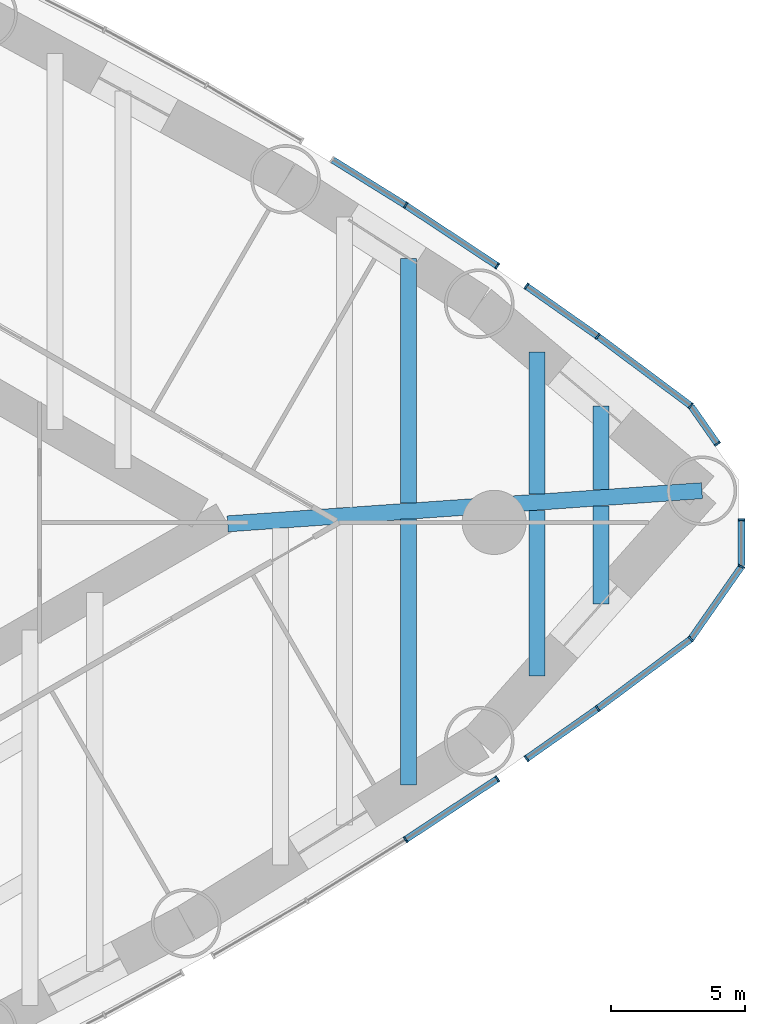
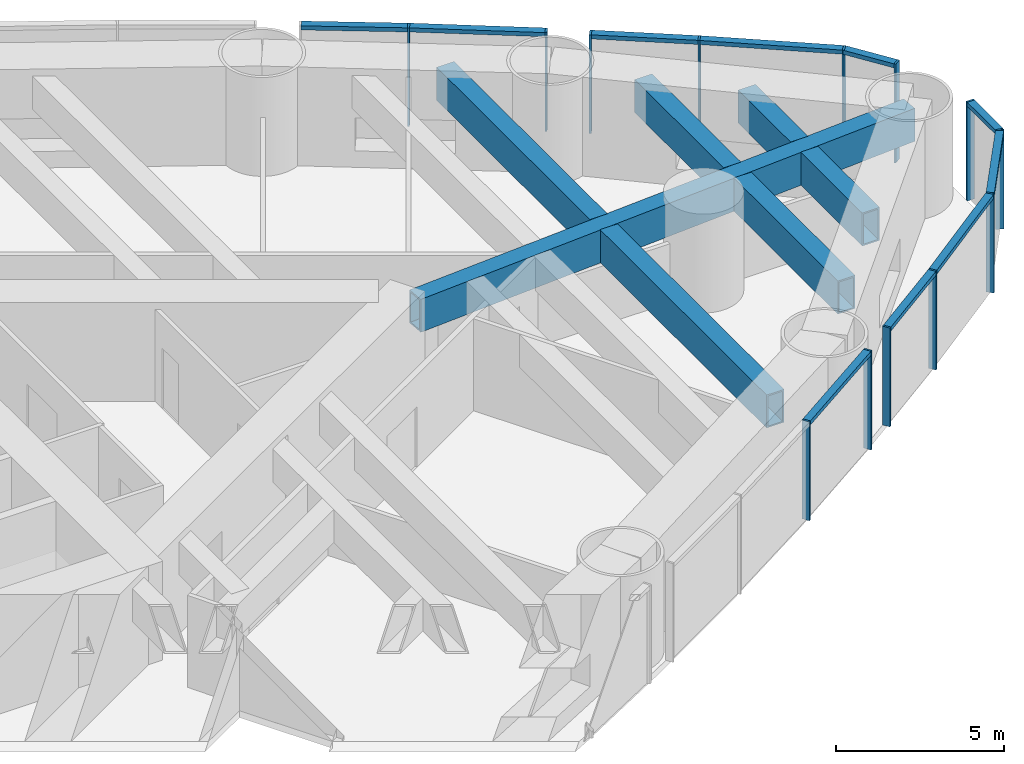
# One storey, part 8 of 16: 23 members, 7 beams, 4 elements without a shape of their own.
"""IFC4 building model written with IfcOpenShell, lengths in metres."""

from ifc_helpers import new_model, si_unit, direction, frame, origin, origin_2d, place, context, subcontext, project, spatial, rectangle, hollow_rectangle, extrude, material, material_profile, profile_set, type_object, element, aggregate, save


model = new_model("IFC4")

# Units and contexts
model_context = context("Model", 3, precision=1e-05, world=origin(), true_north=direction((0.0, 1.0)))
body_context = subcontext(model_context, "Body", "Model", "MODEL_VIEW")
ifc_project = project(units=[si_unit("LENGTHUNIT", "METRE"), si_unit("AREAUNIT", "SQUARE_METRE"), si_unit("VOLUMEUNIT", "CUBIC_METRE"), si_unit("PLANEANGLEUNIT", "RADIAN"), si_unit("MASSUNIT", "GRAM", prefix="KILO")], contexts=[model_context])

# Site, building, storey
site_placement = place(None, origin())
site = spatial("IfcSite", under=ifc_project, at=site_placement, CompositionType="ELEMENT")
building_placement = place(site_placement, origin())
building = spatial("IfcBuilding", under=site, at=building_placement, Name="Lancet Gate Hotel", CompositionType="ELEMENT")
storey_placement = place(building_placement, frame((0.0, 0.0, 143.10009765625)))
storey = spatial("IfcBuildingStorey", under=building, at=storey_placement, Name="L38", CompositionType="ELEMENT", Elevation=143.10009765625)

# Curtain wall, members
ifc_material_1 = material(Name="Aluminium curtain wall", Category="aluminium")
curtain_wall_type = type_object("IfcCurtainWallType", Name="Tower unitised curtain wall", PredefinedType="USERDEFINED", material=ifc_material_1)
curtain_wall_1_placement = place(storey_placement, origin())
curtain_wall_1 = element("IfcCurtainWall", 1, at=curtain_wall_1_placement, inside=storey, type_object=curtain_wall_type, Name="T2 L38 curtain wall 4", ObjectType="UNITISED CURTAIN WALL", PredefinedType="USERDEFINED")
ifc_material_2 = material(Name="Aluminium mullion", Category="aluminium")
ifc_material_profile_1 = material_profile(ifc_material_2, rectangle(XDim=0.06494140625, YDim=0.25, at=origin_2d()), Name="MULLION 65x250")
ifc_profile_set_1 = profile_set([ifc_material_profile_1], Name="Aluminium mullion")
member_type_1 = type_object("IfcMemberType", Name="Aluminium mullion 65x250", PredefinedType="MULLION", material=ifc_profile_set_1)
member_1_placement = place(storey_placement, frame((58.188720703125, -11.8603515625, 0.0), z_axis=(0.0, 0.0, 1.0), x_axis=(0.841950612048, 0.539554600455, 0.0)))
member_1 = element("IfcMember", 2, at=member_1_placement, type_object=member_type_1, Name="T2 L38 curtain wall 4 mullion 3", PredefinedType="MULLION", context=body_context, shape_type="SweptSolid", body=[
    extrude(rectangle(XDim=0.06494140625, YDim=0.25, at=origin_2d()), origin(), (0.0, 0.0, 1.0), 3.599853515625),
])
member_2_placement = place(storey_placement, frame((61.616943359375, -9.592041015625, 0.0), z_axis=(0.0, 0.0, 1.0), x_axis=(0.83398495346, 0.551787184885, 0.0)))
member_2 = element("IfcMember", 3, at=member_2_placement, type_object=member_type_1, Name="T2 L38 curtain wall 4 mullion 4", PredefinedType="MULLION", context=body_context, shape_type="SweptSolid", body=[
    extrude(rectangle(XDim=0.06494140625, YDim=0.25, at=origin_2d()), origin(), (0.0, 0.0, 1.0), 3.599853515625),
])

curtain_wall_2_placement = place(storey_placement, origin())
curtain_wall_2 = element("IfcCurtainWall", 4, at=curtain_wall_2_placement, inside=storey, type_object=curtain_wall_type, Name="T2 L38 curtain wall 5", ObjectType="UNITISED CURTAIN WALL", PredefinedType="USERDEFINED")
member_3_placement = place(storey_placement, frame((62.7080078125, -8.8330078125, 0.0), z_axis=(0.0, 0.0, 1.0), x_axis=(0.817979492167, 0.57524738191, 0.0)))
member_3 = element("IfcMember", 5, at=member_3_placement, type_object=member_type_1, Name="T2 L38 curtain wall 5 mullion 1", PredefinedType="MULLION", context=body_context, shape_type="SweptSolid", body=[
    extrude(rectangle(XDim=0.06494140625, YDim=0.25, at=origin_2d()), origin(), (0.0, 0.0, 1.0), 3.599853515625),
])
member_4_placement = place(storey_placement, frame((65.370361328125, -6.9609375, 0.0), z_axis=(0.0, 0.0, 1.0), x_axis=(0.808529144106, 0.588456135265, 0.0)))
member_4 = element("IfcMember", 6, at=member_4_placement, type_object=member_type_1, Name="T2 L38 curtain wall 5 mullion 2", PredefinedType="MULLION", context=body_context, shape_type="SweptSolid", body=[
    extrude(rectangle(XDim=0.06494140625, YDim=0.25, at=origin_2d()), origin(), (0.0, 0.0, 1.0), 3.599853515625),
])
member_5_placement = place(storey_placement, frame((68.853759765625, -4.360107421875, 0.0), z_axis=(0.0, 0.0, 1.0), x_axis=(0.711610374907, 0.702574319432, 0.0)))
member_5 = element("IfcMember", 7, at=member_5_placement, type_object=member_type_1, Name="T2 L38 curtain wall 5 mullion 3", PredefinedType="MULLION", context=body_context, shape_type="SweptSolid", body=[
    extrude(rectangle(XDim=0.06494140625, YDim=0.25, at=origin_2d()), origin(), (0.0, 0.0, 1.0), 3.599853515625),
])
member_6_placement = place(storey_placement, frame((70.747314453125, -1.652099609375, 0.0), z_axis=(0.0, 0.0, 1.0), x_axis=(0.390582260484, 0.920568029966, 0.0)))
member_6 = element("IfcMember", 8, at=member_6_placement, type_object=member_type_1, Name="T2 L38 curtain wall 5 mullion 4", PredefinedType="MULLION", context=body_context, shape_type="SweptSolid", body=[
    extrude(rectangle(XDim=0.06494140625, YDim=0.25, at=origin_2d()), origin(), (0.0, 0.0, 1.0), 3.599853515625),
])
member_7_placement = place(storey_placement, frame((70.747314453125, 0.1025390625, 0.0), z_axis=(0.0, 0.0, 1.0), x_axis=(0.0, 1.0, 0.0)))
member_7 = element("IfcMember", 9, at=member_7_placement, type_object=member_type_1, Name="T2 L38 curtain wall 5 mullion 5", PredefinedType="MULLION", context=body_context, shape_type="SweptSolid", body=[
    extrude(rectangle(XDim=0.06494140625, YDim=0.25, at=origin_2d()), origin(), (0.0, 0.0, 1.0), 3.599853515625),
])

curtain_wall_3_placement = place(storey_placement, origin())
curtain_wall_3 = element("IfcCurtainWall", 10, at=curtain_wall_3_placement, inside=storey, type_object=curtain_wall_type, Name="T2 L38 curtain wall 6", ObjectType="UNITISED CURTAIN WALL", PredefinedType="USERDEFINED")
member_8_placement = place(storey_placement, frame((69.8466796875, 2.940185546875, 0.0), z_axis=(0.0, 0.0, 1.0), x_axis=(-0.573025075425, 0.819537834962, 0.0)))
member_8 = element("IfcMember", 11, at=member_8_placement, type_object=member_type_1, Name="T2 L38 curtain wall 6 mullion 1", PredefinedType="MULLION", context=body_context, shape_type="SweptSolid", body=[
    extrude(rectangle(XDim=0.06494140625, YDim=0.25, at=origin_2d()), origin(), (0.0, 0.0, 1.0), 3.599853515625),
])
member_9_placement = place(storey_placement, frame((68.853759765625, 4.360107421875, 0.0), z_axis=(0.0, 0.0, 1.0), x_axis=(-0.743963478438, 0.668220280111, 0.0)))
member_9 = element("IfcMember", 12, at=member_9_placement, type_object=member_type_1, Name="T2 L38 curtain wall 6 mullion 2", PredefinedType="MULLION", context=body_context, shape_type="SweptSolid", body=[
    extrude(rectangle(XDim=0.06494140625, YDim=0.25, at=origin_2d()), origin(), (0.0, 0.0, 1.0), 3.599853515625),
])
member_10_placement = place(storey_placement, frame((65.370361328125, 6.9609375, 0.0), z_axis=(0.0, 0.0, 1.0), x_axis=(-0.808529144106, 0.588456135265, 0.0)))
member_10 = element("IfcMember", 13, at=member_10_placement, type_object=member_type_1, Name="T2 L38 curtain wall 6 mullion 3", PredefinedType="MULLION", context=body_context, shape_type="SweptSolid", body=[
    extrude(rectangle(XDim=0.06494140625, YDim=0.25, at=origin_2d()), origin(), (0.0, 0.0, 1.0), 3.599853515625),
])
member_11_placement = place(storey_placement, frame((62.7080078125, 8.8330078125, 0.0), z_axis=(0.0, 0.0, 1.0), x_axis=(-0.817979492167, 0.57524738191, 0.0)))
member_11 = element("IfcMember", 14, at=member_11_placement, type_object=member_type_1, Name="T2 L38 curtain wall 6 mullion 4", PredefinedType="MULLION", context=body_context, shape_type="SweptSolid", body=[
    extrude(rectangle(XDim=0.06494140625, YDim=0.25, at=origin_2d()), origin(), (0.0, 0.0, 1.0), 3.599853515625),
])

curtain_wall_4_placement = place(storey_placement, origin())
curtain_wall_4 = element("IfcCurtainWall", 15, at=curtain_wall_4_placement, inside=storey, type_object=curtain_wall_type, Name="T2 L38 curtain wall 7", ObjectType="UNITISED CURTAIN WALL", PredefinedType="USERDEFINED")
member_12_placement = place(storey_placement, frame((61.616943359375, 9.592041015625, 0.0), z_axis=(0.0, 0.0, 1.0), x_axis=(-0.83398495346, 0.551787184885, 0.0)))
member_12 = element("IfcMember", 16, at=member_12_placement, type_object=member_type_1, Name="T2 L38 curtain wall 7 mullion 1", PredefinedType="MULLION", context=body_context, shape_type="SweptSolid", body=[
    extrude(rectangle(XDim=0.06494140625, YDim=0.25, at=origin_2d()), origin(), (0.0, 0.0, 1.0), 3.599853515625),
])
member_13_placement = place(storey_placement, frame((58.188720703125, 11.8603515625, 0.0), z_axis=(0.0, 0.0, 1.0), x_axis=(-0.840826010075, 0.541305478248, 0.0)))
member_13 = element("IfcMember", 17, at=member_13_placement, type_object=member_type_1, Name="T2 L38 curtain wall 7 mullion 2", PredefinedType="MULLION", context=body_context, shape_type="SweptSolid", body=[
    extrude(rectangle(XDim=0.06494140625, YDim=0.25, at=origin_2d()), origin(), (0.0, 0.0, 1.0), 3.599853515625),
])

# Member
ifc_material_3 = material(Name="Aluminium transom", Category="aluminium")
ifc_material_profile_2 = material_profile(ifc_material_3, rectangle(XDim=0.25, YDim=0.14990234375, at=origin_2d()), Name="TRANSOM 250x150")
ifc_profile_set_2 = profile_set([ifc_material_profile_2], Name="Aluminium transom")
member_type_2 = type_object("IfcMemberType", Name="Aluminium transom 250x150", PredefinedType="USERDEFINED", material=ifc_profile_set_2)
member_14_placement = place(storey_placement, frame((58.2158203125, -11.842529296875, 3.52490234375), z_axis=(0.8339763119, 0.551800245732, 0.0), x_axis=(-0.551800245732, 0.8339763119, 0.0)))
member_14 = element("IfcMember", 18, at=member_14_placement, type_object=member_type_2, Name="T2 L38 curtain wall 4 transom 3", ObjectType="TRANSOM", PredefinedType="USERDEFINED", context=body_context, shape_type="SweptSolid", body=[
    extrude(rectangle(XDim=0.25, YDim=0.14990234375, at=origin_2d()), origin(), (0.0, 0.0, 1.0), 4.045654296875),
])

aggregate(curtain_wall_1, [member_1, member_2, member_14])

member_15_placement = place(storey_placement, frame((62.734619140625, -8.814453125, 3.52490234375), z_axis=(0.817967820335, 0.575263978445, 0.0), x_axis=(-0.575263978445, 0.817967820335, 0.0)))
member_15 = element("IfcMember", 19, at=member_15_placement, type_object=member_type_2, Name="T2 L38 curtain wall 5 transom 1", ObjectType="TRANSOM", PredefinedType="USERDEFINED", context=body_context, shape_type="SweptSolid", body=[
    extrude(rectangle(XDim=0.25, YDim=0.14990234375, at=origin_2d()), origin(), (0.0, 0.0, 1.0), 3.189697265625),
])

member_16_placement = place(storey_placement, frame((65.396240234375, -6.94140625, 3.52490234375), z_axis=(0.801311559064, 0.598247261014, 0.0), x_axis=(-0.598247261014, 0.801311559064, 0.0)))
member_16 = element("IfcMember", 20, at=member_16_placement, type_object=member_type_2, Name="T2 L38 curtain wall 5 transom 2", ObjectType="TRANSOM", PredefinedType="USERDEFINED", context=body_context, shape_type="SweptSolid", body=[
    extrude(rectangle(XDim=0.25, YDim=0.14990234375, at=origin_2d()), origin(), (0.0, 0.0, 1.0), 4.282470703125),
])

member_17_placement = place(storey_placement, frame((68.87255859375, -4.33349609375, 3.52490234375), z_axis=(0.573017137751, 0.819543384967, 0.0), x_axis=(-0.819543384967, 0.573017137751, 0.0)))
member_17 = element("IfcMember", 21, at=member_17_placement, type_object=member_type_2, Name="T2 L38 curtain wall 5 transom 3", ObjectType="TRANSOM", PredefinedType="USERDEFINED", context=body_context, shape_type="SweptSolid", body=[
    extrude(rectangle(XDim=0.25, YDim=0.14990234375, at=origin_2d()), origin(), (0.0, 0.0, 1.0), 3.2392578125),
])

member_18_placement = place(storey_placement, frame((70.747314453125, -1.61962890625, 3.52490234375), z_axis=(0.0, 1.0, 0.0), x_axis=(-1.0, 0.0, 0.0)))
member_18 = element("IfcMember", 22, at=member_18_placement, type_object=member_type_2, Name="T2 L38 curtain wall 5 transom 4", ObjectType="TRANSOM", PredefinedType="USERDEFINED", context=body_context, shape_type="SweptSolid", body=[
    extrude(rectangle(XDim=0.25, YDim=0.14990234375, at=origin_2d()), origin(), (0.0, 0.0, 1.0), 1.689697265625),
])

aggregate(curtain_wall_2, [member_3, member_4, member_5, member_6, member_7, member_15, member_16, member_17, member_18])

member_19_placement = place(storey_placement, frame((69.828125, 2.966796875, 3.52490234375), z_axis=(-0.573010283395, 0.819548177427, 0.0), x_axis=(-0.819548177427, -0.573010283395, 0.0)))
member_19 = element("IfcMember", 23, at=member_19_placement, type_object=member_type_2, Name="T2 L38 curtain wall 6 transom 1", ObjectType="TRANSOM", PredefinedType="USERDEFINED", context=body_context, shape_type="SweptSolid", body=[
    extrude(rectangle(XDim=0.25, YDim=0.14990234375, at=origin_2d()), origin(), (0.0, 0.0, 1.0), 1.667724609375),
])

member_20_placement = place(storey_placement, frame((68.827880859375, 4.37939453125, 3.52490234375), z_axis=(-0.801311559064, 0.598247261014, 0.0), x_axis=(-0.598247261014, -0.801311559064, 0.0)))
member_20 = element("IfcMember", 24, at=member_20_placement, type_object=member_type_2, Name="T2 L38 curtain wall 6 transom 2", ObjectType="TRANSOM", PredefinedType="USERDEFINED", context=body_context, shape_type="SweptSolid", body=[
    extrude(rectangle(XDim=0.25, YDim=0.14990234375, at=origin_2d()), origin(), (0.0, 0.0, 1.0), 4.282470703125),
])

member_21_placement = place(storey_placement, frame((65.34375, 6.9794921875, 3.52490234375), z_axis=(-0.817967820335, 0.575263978445, 0.0), x_axis=(-0.575263978445, -0.817967820335, 0.0)))
member_21 = element("IfcMember", 25, at=member_21_placement, type_object=member_type_2, Name="T2 L38 curtain wall 6 transom 3", ObjectType="TRANSOM", PredefinedType="USERDEFINED", context=body_context, shape_type="SweptSolid", body=[
    extrude(rectangle(XDim=0.25, YDim=0.14990234375, at=origin_2d()), origin(), (0.0, 0.0, 1.0), 3.189697265625),
])

aggregate(curtain_wall_3, [member_8, member_9, member_10, member_11, member_19, member_20, member_21])

member_22_placement = place(storey_placement, frame((61.58984375, 9.610107421875, 3.52490234375), z_axis=(-0.8339763119, 0.551800245732, 0.0), x_axis=(-0.551800245732, -0.8339763119, 0.0)))
member_22 = element("IfcMember", 26, at=member_22_placement, type_object=member_type_2, Name="T2 L38 curtain wall 7 transom 1", ObjectType="TRANSOM", PredefinedType="USERDEFINED", context=body_context, shape_type="SweptSolid", body=[
    extrude(rectangle(XDim=0.25, YDim=0.14990234375, at=origin_2d()), origin(), (0.0, 0.0, 1.0), 4.045654296875),
])

member_23_placement = place(storey_placement, frame((58.1611328125, 11.87744140625, 3.52490234375), z_axis=(-0.849304896357, 0.527902635932, 0.0), x_axis=(-0.527902635932, -0.849304896357, 0.0)))
member_23 = element("IfcMember", 27, at=member_23_placement, type_object=member_type_2, Name="T2 L38 curtain wall 7 transom 2", ObjectType="TRANSOM", PredefinedType="USERDEFINED", context=body_context, shape_type="SweptSolid", body=[
    extrude(rectangle(XDim=0.25, YDim=0.14990234375, at=origin_2d()), origin(), (0.0, 0.0, 1.0), 3.17431640625),
])

aggregate(curtain_wall_4, [member_12, member_13, member_22, member_23])

# Beams
ifc_material_4 = material(Name="Steel S460QL", Category="steel")
ifc_material_profile_3 = material_profile(ifc_material_4, hollow_rectangle(XDim=0.60009765625, YDim=1.199951171875, WallThickness=0.050048828125, at=origin_2d()), Name="BOX 1200x600x50")
ifc_profile_set_3 = profile_set([ifc_material_profile_3], Name="Steel S460QL")
beam_type_1 = type_object("IfcBeamType", Name="Refuge floor beam BOX 1200x600x50", PredefinedType="BEAM", material=ifc_profile_set_3)
beam_1_placement = place(storey_placement, frame((58.30224609375, -9.821044921875, 2.75), z_axis=(0.0, 1.0, 0.0), x_axis=(-1.0, 0.0, 0.0)))
element("IfcBeam", 28, at=beam_1_placement, inside=storey, type_object=beam_type_1, Name="T2 floor beam F16S L38", PredefinedType="BEAM", context=body_context, shape_type="SweptSolid", body=[
    extrude(hollow_rectangle(XDim=0.60009765625, YDim=1.199951171875, WallThickness=0.050048828125, at=origin_2d()), origin(), (0.0, 0.0, 1.0), 9.93994140625),
])
beam_2_placement = place(storey_placement, frame((58.30224609375, 0.72021484375, 2.75), z_axis=(0.0, 1.0, 0.0), x_axis=(-1.0, 0.0, 0.0)))
element("IfcBeam", 29, at=beam_2_placement, inside=storey, type_object=beam_type_1, Name="T2 floor beam F17N L38", PredefinedType="BEAM", context=body_context, shape_type="SweptSolid", body=[
    extrude(hollow_rectangle(XDim=0.60009765625, YDim=1.199951171875, WallThickness=0.050048828125, at=origin_2d()), origin(), (0.0, 0.0, 1.0), 9.1533203125),
])
beam_3_placement = place(storey_placement, frame((63.102294921875, -5.75, 2.75), z_axis=(0.0, 1.0, 0.0), x_axis=(-1.0, 0.0, 0.0)))
element("IfcBeam", 30, at=beam_3_placement, inside=storey, type_object=beam_type_1, Name="T2 floor beam F18S L38", PredefinedType="BEAM", context=body_context, shape_type="SweptSolid", body=[
    extrude(hollow_rectangle(XDim=0.60009765625, YDim=1.199951171875, WallThickness=0.050048828125, at=origin_2d()), origin(), (0.0, 0.0, 1.0), 6.20458984375),
])
beam_4_placement = place(storey_placement, frame((63.102294921875, 1.055908203125, 2.75), z_axis=(0.0, 1.0, 0.0), x_axis=(-1.0, 0.0, 0.0)))
element("IfcBeam", 31, at=beam_4_placement, inside=storey, type_object=beam_type_1, Name="T2 floor beam F19N L38", PredefinedType="BEAM", context=body_context, shape_type="SweptSolid", body=[
    extrude(hollow_rectangle(XDim=0.60009765625, YDim=1.199951171875, WallThickness=0.050048828125, at=origin_2d()), origin(), (0.0, 0.0, 1.0), 5.309814453125),
])
beam_5_placement = place(storey_placement, frame((65.502197265625, -3.05029296875, 2.75), z_axis=(0.0, 1.0, 0.0), x_axis=(-1.0, 0.0, 0.0)))
element("IfcBeam", 32, at=beam_5_placement, inside=storey, type_object=beam_type_1, Name="T2 floor beam F20S L38", PredefinedType="BEAM", context=body_context, shape_type="SweptSolid", body=[
    extrude(hollow_rectangle(XDim=0.60009765625, YDim=1.199951171875, WallThickness=0.050048828125, at=origin_2d()), origin(), (0.0, 0.0, 1.0), 3.672607421875),
])
beam_6_placement = place(storey_placement, frame((65.502197265625, 1.223876953125, 2.75), z_axis=(0.0, 1.0, 0.0), x_axis=(-1.0, 0.0, 0.0)))
element("IfcBeam", 33, at=beam_6_placement, inside=storey, type_object=beam_type_1, Name="T2 floor beam F21N L38", PredefinedType="BEAM", context=body_context, shape_type="SweptSolid", body=[
    extrude(hollow_rectangle(XDim=0.60009765625, YDim=1.199951171875, WallThickness=0.050048828125, at=origin_2d()), origin(), (0.0, 0.0, 1.0), 3.126220703125),
])
ifc_material_5 = material(Name="Steel S460QL", Category="steel")
ifc_material_profile_4 = material_profile(ifc_material_5, hollow_rectangle(XDim=0.60009765625, YDim=1.199951171875, WallThickness=0.06005859375, at=origin_2d()), Name="BOX 1200x600x60")
ifc_profile_set_4 = profile_set([ifc_material_profile_4], Name="Steel S460QL")
beam_type_2 = type_object("IfcBeamType", Name="Refuge floor beam BOX 1200x600x60", PredefinedType="BEAM", material=ifc_profile_set_4)
beam_7_placement = place(storey_placement, frame((69.268798828125, 1.1865234375, 2.75), z_axis=(-0.99756389092, -0.069758752369, 0.0), x_axis=(0.069758752369, -0.99756389092, 0.0)))
element("IfcBeam", 34, at=beam_7_placement, inside=storey, type_object=beam_type_2, Name="T2 radial beam CA L38", PredefinedType="BEAM", context=body_context, shape_type="SweptSolid", body=[
    extrude(hollow_rectangle(XDim=0.60009765625, YDim=1.199951171875, WallThickness=0.06005859375, at=origin_2d()), origin(), (0.0, 0.0, 1.0), 17.77880859375),
])

save(model, "model.ifc")
